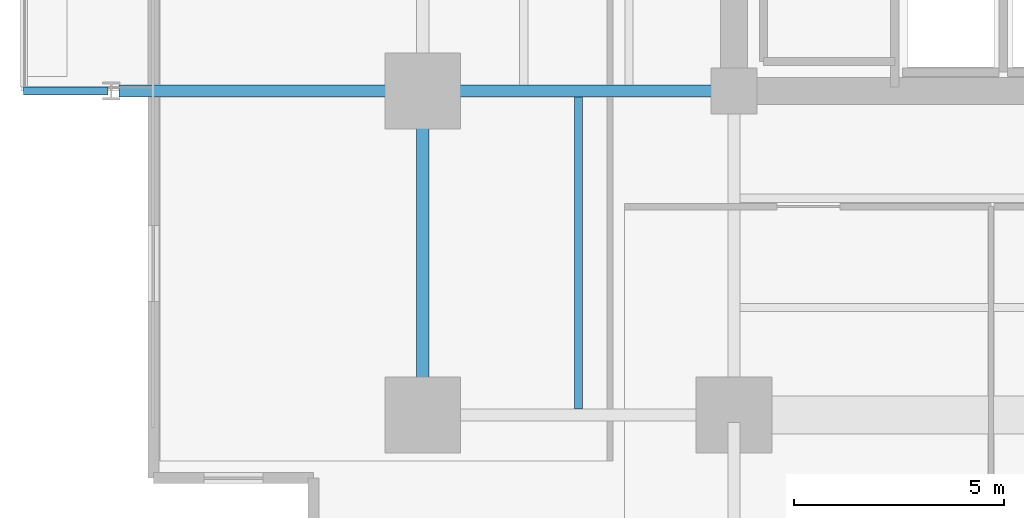
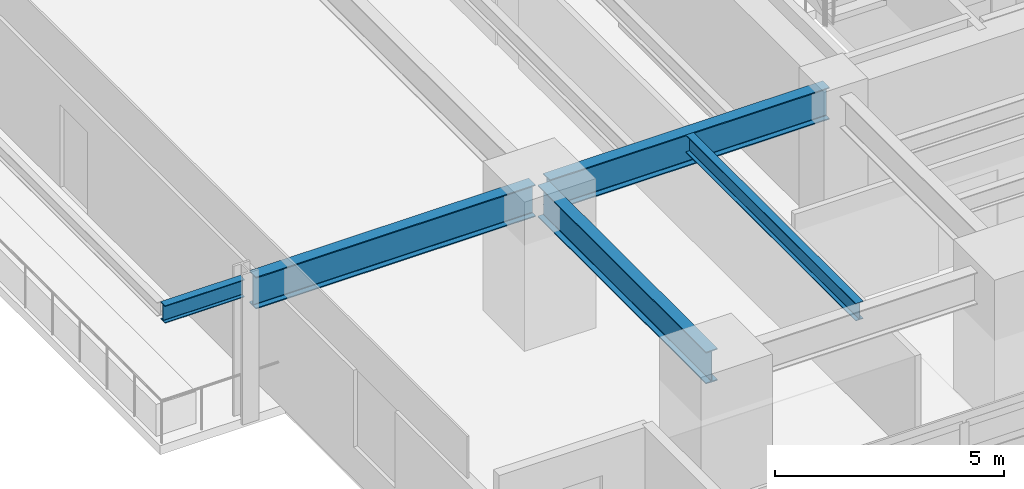
# One storey, part 3 of 21: 5 beams.
"""IFC4 building model written with IfcOpenShell, lengths in metres."""

from ifc_helpers import new_model, si_unit, direction, frame, origin, origin_2d, place, context, subcontext, project, spatial, i_section, extrude, material, material_profile, profile_set, type_object, element, save


model = new_model("IFC4")

# Units and contexts
model_context = context("Model", 3, precision=1e-05, world=origin(), true_north=direction((0.0, 1.0)))
body_context = subcontext(model_context, "Body", "Model", "MODEL_VIEW")
ifc_project = project(units=[si_unit("LENGTHUNIT", "METRE"), si_unit("AREAUNIT", "SQUARE_METRE"), si_unit("VOLUMEUNIT", "CUBIC_METRE"), si_unit("PLANEANGLEUNIT", "RADIAN"), si_unit("MASSUNIT", "GRAM", prefix="KILO")], contexts=[model_context])

# Site, building, storey
site_placement = place(None, origin())
site = spatial("IfcSite", under=ifc_project, at=site_placement, CompositionType="ELEMENT")
building_placement = place(site_placement, origin())
building = spatial("IfcBuilding", under=site, at=building_placement, Name="Kovane Verandah Tower", CompositionType="ELEMENT")
storey_placement = place(building_placement, frame((0.0, 0.0, 27.60009765625)))
storey = spatial("IfcBuildingStorey", under=building, at=storey_placement, Name="L05", CompositionType="ELEMENT", Elevation=27.60009765625)

# Beams
ifc_material = material(Name="Steel S355", Category="steel")
ifc_material_profile_1 = material_profile(ifc_material, i_section(OverallWidth=0.293701171875, OverallDepth=0.850830078125, WebThickness=0.01611328125, FlangeThickness=0.02685546875, FilletRadius=0.017822265625, at=origin_2d()), Name="UB838x292x226")
ifc_profile_set_1 = profile_set([ifc_material_profile_1], Name="Steel S355")
beam_type_1 = type_object("IfcBeamType", Name="BM-UB838x226", PredefinedType="BEAM", material=ifc_profile_set_1)
beam_1_placement = place(storey_placement, frame((21.60009765625, 10.97998046875, 3.33447265625), z_axis=(0.0, 1.0, 0.0), x_axis=(-1.0, 0.0, 0.0)))
element("IfcBeam", 1, at=beam_1_placement, inside=storey, type_object=beam_type_1, Name="L05 Primary Tower Girder G-RW1", PredefinedType="BEAM", context=body_context, shape_type="SweptSolid", body=[
    extrude(i_section(OverallWidth=0.293701171875, OverallDepth=0.850830078125, WebThickness=0.01611328125, FlangeThickness=0.02685546875, FilletRadius=0.017822265625, at=origin_2d()), origin(), (0.0, 0.0, 1.0), 7.340087890625),
])
for number, where, z_axis, x_axis, name in (
    (2, (28.820068359375, 18.5, 3.33447265625), (-1.0, 0.0, 0.0), (0.0, -1.0, 0.0), "L05 Primary Tower Girder G-W1"),
    (3, (21.419921875, 18.5, 3.33447265625), (-1.0, 0.0, 0.0), (0.0, -1.0, 0.0), "L05 Primary Tower Girder G-VW1"),
):
    element("IfcBeam", number, at=place(storey_placement, frame(where, z_axis=z_axis, x_axis=x_axis)), inside=storey, type_object=beam_type_1, Name=name, PredefinedType="BEAM", context=body_context, shape_type="SweptSolid", body=[
        extrude(i_section(OverallWidth=0.293701171875, OverallDepth=0.850830078125, WebThickness=0.01611328125, FlangeThickness=0.02685546875, FilletRadius=0.017822265625, at=origin_2d()), origin(), (0.0, 0.0, 1.0), 7.0400390625),
    ])
ifc_material_profile_2 = material_profile(ifc_material, i_section(OverallWidth=0.19287109375, OverallDepth=0.46728515625, WebThickness=0.011474609375, FlangeThickness=0.01953125, FilletRadius=0.01025390625, at=origin_2d()), Name="UB457x191x98")
ifc_profile_set_2 = profile_set([ifc_material_profile_2], Name="Steel S355")
beam_type_2 = type_object("IfcBeamType", Name="JST-UB457x98", PredefinedType="JOIST", material=ifc_profile_set_2)
beam_2_placement = place(storey_placement, frame((25.300048828125, 10.94482421875, 3.5263671875), z_axis=(0.0, 1.0, 0.0), x_axis=(-1.0, 0.0, 0.0)))
element("IfcBeam", 4, at=beam_2_placement, inside=storey, type_object=beam_type_2, Name="L05 Secondary Composite Joist J-SW1", PredefinedType="JOIST", context=body_context, shape_type="SweptSolid", body=[
    extrude(i_section(OverallWidth=0.19287109375, OverallDepth=0.46728515625, WebThickness=0.011474609375, FlangeThickness=0.01953125, FilletRadius=0.01025390625, at=origin_2d()), origin(), (0.0, 0.0, 1.0), 7.41015625),
])
beam_3_placement = place(storey_placement, frame((14.1201171875, 18.5, 3.5263671875), z_axis=(-1.0, 0.0, 0.0), x_axis=(0.0, -1.0, 0.0)))
element("IfcBeam", 5, at=beam_3_placement, inside=storey, type_object=beam_type_2, Name="L05 West Planter Girder 1", PredefinedType="JOIST", context=body_context, shape_type="SweptSolid", body=[
    extrude(i_section(OverallWidth=0.19287109375, OverallDepth=0.46728515625, WebThickness=0.011474609375, FlangeThickness=0.01953125, FilletRadius=0.01025390625, at=origin_2d()), origin(), (0.0, 0.0, 1.0), 2.005859375),
])

save(model, "model.ifc")
